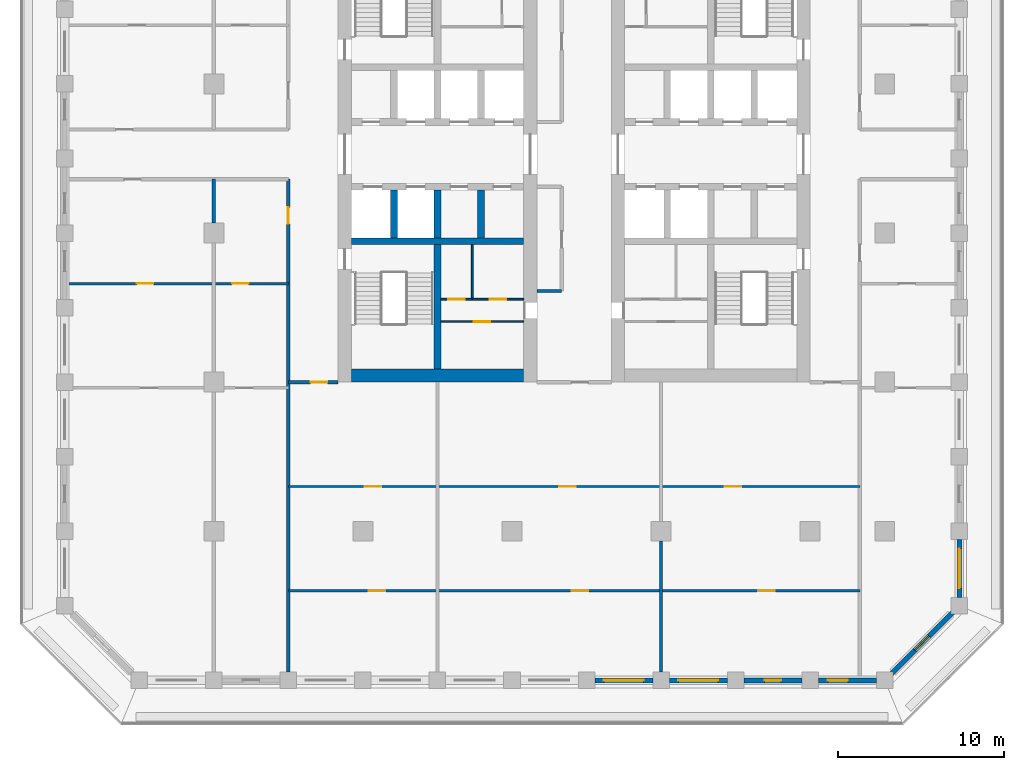
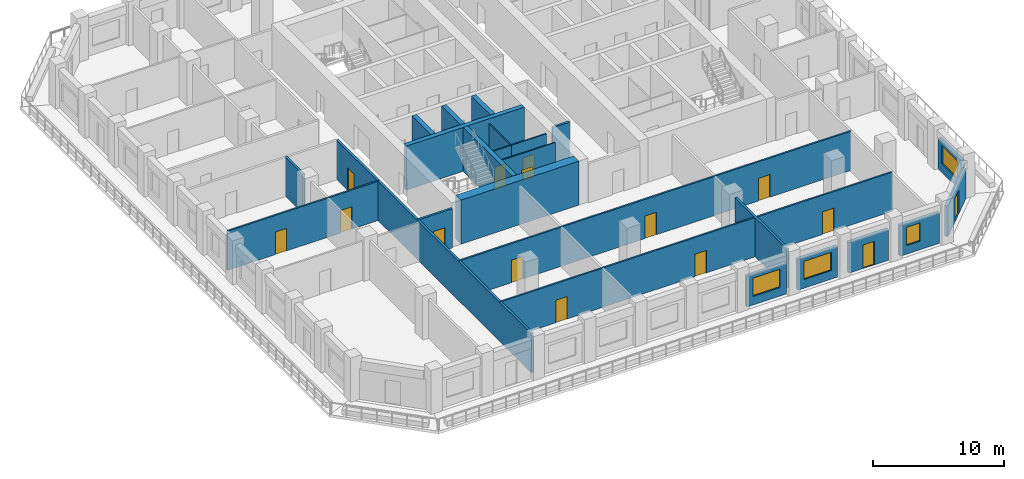
# One storey, part 3 of 16: 24 walls, 15 doors, 4 windows, 19 openings.
"""IFC4 building model written with IfcOpenShell, lengths in metres."""

from ifc_helpers import new_model, si_unit, direction, frame, frame_2d, origin, place, context, subcontext, project, spatial, rectangle, extrude, material, layer, layer_set, type_object, element, fill, save


model = new_model("IFC4")

# Units and contexts
model_context = context("Model", 3, precision=1e-05, world=origin(), true_north=direction((0.0, 1.0)))
body_context = subcontext(model_context, "Body", "Model", "MODEL_VIEW")
ifc_project = project(units=[si_unit("LENGTHUNIT", "METRE"), si_unit("AREAUNIT", "SQUARE_METRE"), si_unit("VOLUMEUNIT", "CUBIC_METRE"), si_unit("PLANEANGLEUNIT", "RADIAN"), si_unit("MASSUNIT", "GRAM", prefix="KILO")], contexts=[model_context])

# Site, building, storey
site_placement = place(None, origin())
site = spatial("IfcSite", under=ifc_project, at=site_placement, CompositionType="ELEMENT")
building_placement = place(site_placement, origin())
building = spatial("IfcBuilding", under=site, at=building_placement, Name="Corbel Stack Research Tower", CompositionType="ELEMENT")
storey_placement = place(building_placement, frame((0.0, 0.0, 177.300048828125)))
storey = spatial("IfcBuildingStorey", under=building, at=storey_placement, Name="L40", CompositionType="ELEMENT", Elevation=177.300048828125)

# Walls
ifc_material_1 = material(Name="Concrete C60/75", Category="concrete")
ifc_layer_1 = layer(ifc_material_1, 0.39990234375)
ifc_layer_set_1 = layer_set([ifc_layer_1], Name="Concrete C60/75")
wall_type_1 = type_object("IfcWallType", Name="CW-400-60", PredefinedType="SHEAR", material=ifc_layer_set_1)
wall_1_placement = place(storey_placement, frame((-9.699951171875, -0.5, 0.0), z_axis=(0.0, 0.0, 1.0), x_axis=(1.0, 0.0, 0.0)))
element("IfcWall", 1, at=wall_1_placement, inside=storey, type_object=wall_type_1, Name="West core wall, south row back L40", PredefinedType="SHEAR", context=body_context, shape_type="SweptSolid", body=[
    extrude(rectangle(XDim=10.39990234375, YDim=0.39990234375, at=frame_2d((5.199951171875, 0.0))), origin(), (0.0, 0.0, 1.0), 4.099853515625),
])
for number, where, z_axis, x_axis, name in (
    (2, (-7.125, -0.300048828125, 0.0), (0.0, 0.0, 1.0), (0.0, 1.0, 0.0), "West core wall, south shaft 1 L40"),
    (3, (-4.5, -0.300048828125, 0.0), (0.0, 0.0, 1.0), (0.0, 1.0, 0.0), "West core wall, south shaft 2 L40"),
    (4, (-1.875, -0.300048828125, 0.0), (0.0, 0.0, 1.0), (0.0, 1.0, 0.0), "West core wall, south shaft 3 L40"),
):
    element("IfcWall", number, at=place(storey_placement, frame(where, z_axis=z_axis, x_axis=x_axis)), inside=storey, type_object=wall_type_1, Name=name, PredefinedType="SHEAR", context=body_context, shape_type="SweptSolid", body=[
        extrude(rectangle(XDim=2.900146484375, YDim=0.39990234375, at=frame_2d((1.4501953125, 0.0))), origin(), (0.0, 0.0, 1.0), 4.099853515625),
    ])
wall_2_placement = place(storey_placement, frame((-4.5, -8.199951171875, 0.0), z_axis=(0.0, 0.0, 1.0), x_axis=(0.0, 1.0, 0.0)))
element("IfcWall", 5, at=wall_2_placement, inside=storey, type_object=wall_type_1, Name="West core wall, south stair and WC L40", PredefinedType="SHEAR", context=body_context, shape_type="SweptSolid", body=[
    extrude(rectangle(XDim=7.5, YDim=0.39990234375, at=frame_2d((3.75, 0.0))), origin(), (0.0, 0.0, 1.0), 4.099853515625),
])
ifc_material_2 = material(Name="Concrete C60/75", Category="concrete")
ifc_layer_2 = layer(ifc_material_2, 0.800048828125)
ifc_layer_set_2 = layer_set([ifc_layer_2], Name="Concrete C60/75")
wall_type_2 = type_object("IfcWallType", Name="CW-800-60", PredefinedType="SHEAR", material=ifc_layer_set_2)
wall_3_placement = place(storey_placement, frame((-9.699951171875, -8.60009765625, 0.0), z_axis=(0.0, 0.0, 1.0), x_axis=(1.0, 0.0, 0.0)))
element("IfcWall", 6, at=wall_3_placement, inside=storey, type_object=wall_type_2, Name="West core wall, south end L40", PredefinedType="SHEAR", context=body_context, shape_type="SweptSolid", body=[
    extrude(rectangle(XDim=10.39990234375, YDim=0.800048828125, at=frame_2d((5.199951171875, 0.0))), origin(), (0.0, 0.0, 1.0), 4.099853515625),
])

# Wall, opening, door
ifc_material_3 = material(Name="Gypsum board")
ifc_layer_3 = layer(ifc_material_3, 0.10009765625)
ifc_layer_set_3 = layer_set([ifc_layer_3], Name="Gypsum board")
wall_type_3 = type_object("IfcWallType", Name="Core partition 100", PredefinedType="PARTITIONING", material=ifc_layer_set_3)
wall_4_placement = place(storey_placement, frame((-4.300048828125, -5.35009765625, 0.0), z_axis=(0.0, 0.0, 1.0), x_axis=(1.0, 0.0, 0.0)))
wall_4 = element("IfcWall", 7, at=wall_4_placement, inside=storey, type_object=wall_type_3, Name="Core partition W", PredefinedType="PARTITIONING", context=body_context, shape_type="SweptSolid", body=[
    extrude(rectangle(XDim=5.0, YDim=0.10009765625, at=frame_2d((2.5, 0.0))), origin(), (0.0, 0.0, 1.0), 3.64990234375),
])
opening_1_placement = place(wall_4_placement, frame((2.0, 0.0, 0.0)))
opening_1 = element("IfcOpeningElement", 8, at=opening_1_placement, cuts=wall_4, Name="Opening CR-W24-W2-1000", PredefinedType="OPENING", context=body_context, shape_type="SweptSolid", body=[
    extrude(rectangle(XDim=1.0, YDim=2.10009765625, at=frame_2d((0.5, 1.050048828125))), frame((0.0, 0.06005859375, 0.0), z_axis=(0.0, -1.0, 0.0), x_axis=(1.0, 0.0, 0.0)), (0.0, 0.0, 1.0), 0.1201171875),
])
ifc_material_4 = material(Name="Painted timber door", Category="wood")
door_type_1 = type_object("IfcDoorType", Name="WC door 1000 x 2100 right hand", OperationType="SINGLE_SWING_RIGHT", PredefinedType="DOOR", material=ifc_material_4)
door_1_placement = place(opening_1_placement, origin())
door_1 = element("IfcDoor", 9, at=door_1_placement, inside=storey, type_object=door_type_1, Name="Men's WC door W core", OperationType="SINGLE_SWING_RIGHT", OverallHeight=2.10009765625, OverallWidth=1.0, PredefinedType="DOOR", context=body_context, shape_type="SweptSolid", body=[
    extrude(rectangle(XDim=1.0, YDim=2.10009765625, at=frame_2d((0.5, 1.050048828125))), frame((0.0, 0.02490234375, 0.0), z_axis=(0.0, -1.0, 0.0), x_axis=(1.0, 0.0, 0.0)), (0.0, 0.0, 1.0), 0.050048828125),
])
fill(opening_1, door_1)

wall_5_placement = place(storey_placement, frame((-2.39990234375, -4.0, 0.0), z_axis=(0.0, 0.0, 1.0), x_axis=(1.0, 0.0, 0.0)))
wall_5 = element("IfcWall", 10, at=wall_5_placement, inside=storey, type_object=wall_type_3, Name="Core partition W", PredefinedType="PARTITIONING", context=body_context, shape_type="SweptSolid", body=[
    extrude(rectangle(XDim=3.099853515625, YDim=0.10009765625, at=frame_2d((1.5498046875, 0.0))), origin(), (0.0, 0.0, 1.0), 3.64990234375),
])
opening_2_placement = place(wall_5_placement, frame((1.050048828125, 0.0, 0.0)))
opening_2 = element("IfcOpeningElement", 11, at=opening_2_placement, cuts=wall_5, Name="Opening CR-W24-W3-1000", PredefinedType="OPENING", context=body_context, shape_type="SweptSolid", body=[
    extrude(rectangle(XDim=1.0, YDim=2.10009765625, at=frame_2d((0.5, 1.050048828125))), frame((0.0, 0.06005859375, 0.0), z_axis=(0.0, -1.0, 0.0), x_axis=(1.0, 0.0, 0.0)), (0.0, 0.0, 1.0), 0.1201171875),
])
ifc_material_5 = material(Name="Painted timber door", Category="wood")
door_type_2 = type_object("IfcDoorType", Name="WC door 1000 x 2100 left hand", OperationType="SINGLE_SWING_LEFT", PredefinedType="DOOR", material=ifc_material_5)
door_2_placement = place(opening_2_placement, origin())
door_2 = element("IfcDoor", 12, at=door_2_placement, inside=storey, type_object=door_type_2, Name="Women's WC door W core", OperationType="SINGLE_SWING_LEFT", OverallHeight=2.10009765625, OverallWidth=1.0, PredefinedType="DOOR", context=body_context, shape_type="SweptSolid", body=[
    extrude(rectangle(XDim=1.0, YDim=2.10009765625, at=frame_2d((0.5, 1.050048828125))), frame((0.0, 0.02490234375, 0.0), z_axis=(0.0, -1.0, 0.0), x_axis=(1.0, 0.0, 0.0)), (0.0, 0.0, 1.0), 0.050048828125),
])
fill(opening_2, door_2)

wall_6_placement = place(storey_placement, frame((-4.300048828125, -4.0, 0.0), z_axis=(0.0, 0.0, 1.0), x_axis=(1.0, 0.0, 0.0)))
wall_6 = element("IfcWall", 13, at=wall_6_placement, inside=storey, type_object=wall_type_3, Name="Core partition W", PredefinedType="PARTITIONING", context=body_context, shape_type="SweptSolid", body=[
    extrude(rectangle(XDim=1.900146484375, YDim=0.10009765625, at=frame_2d((0.9501953125, 0.0))), origin(), (0.0, 0.0, 1.0), 3.64990234375),
])
opening_3_placement = place(wall_6_placement, frame((0.449951171875, 0.0, 0.0)))
opening_3 = element("IfcOpeningElement", 14, at=opening_3_placement, cuts=wall_6, Name="Opening CR-W24-W4-1000", PredefinedType="OPENING", context=body_context, shape_type="SweptSolid", body=[
    extrude(rectangle(XDim=1.0, YDim=2.10009765625, at=frame_2d((0.5, 1.050048828125))), frame((0.0, 0.06005859375, 0.0), z_axis=(0.0, -1.0, 0.0), x_axis=(1.0, 0.0, 0.0)), (0.0, 0.0, 1.0), 0.1201171875),
])
door_3_placement = place(opening_3_placement, origin())
door_3 = element("IfcDoor", 15, at=door_3_placement, inside=storey, type_object=door_type_1, Name="Accessible WC door W core", OperationType="SINGLE_SWING_RIGHT", OverallHeight=2.10009765625, OverallWidth=1.0, PredefinedType="DOOR", context=body_context, shape_type="SweptSolid", body=[
    extrude(rectangle(XDim=1.0, YDim=2.10009765625, at=frame_2d((0.5, 1.050048828125))), frame((0.0, 0.02490234375, 0.0), z_axis=(0.0, -1.0, 0.0), x_axis=(1.0, 0.0, 0.0)), (0.0, 0.0, 1.0), 0.050048828125),
])
fill(opening_3, door_3)

# Walls
wall_7_placement = place(storey_placement, frame((-2.39990234375, -4.0, 0.0), z_axis=(0.0, 0.0, 1.0), x_axis=(0.0, 1.0, 0.0)))
element("IfcWall", 16, at=wall_7_placement, inside=storey, type_object=wall_type_3, Name="Core partition W", PredefinedType="PARTITIONING", context=body_context, shape_type="SweptSolid", body=[
    extrude(rectangle(XDim=3.300048828125, YDim=0.10009765625, at=frame_2d((1.64990234375, 0.0))), origin(), (0.0, 0.0, 1.0), 3.64990234375),
])
ifc_material_6 = material(Name="Fire-rated gypsum board partition on steel studs", Category="steel")
ifc_layer_4 = layer(ifc_material_6, 0.199951171875)
ifc_layer_set_4 = layer_set([ifc_layer_4], Name="Fire-rated gypsum board partition on steel studs")
wall_type_4 = type_object("IfcWallType", Name="Fire-rated partition 200 EI 60", PredefinedType="PARTITIONING", material=ifc_layer_set_4)
wall_8_placement = place(storey_placement, frame((-18.0, 0.60009765625, 0.0), z_axis=(0.0, 0.0, 1.0), x_axis=(0.0, 1.0, 0.0)))
element("IfcWall", 17, at=wall_8_placement, inside=storey, type_object=wall_type_4, Name="Partition L40-004", PredefinedType="PARTITIONING", context=body_context, shape_type="SweptSolid", body=[
    extrude(rectangle(XDim=2.64990234375, YDim=0.199951171875, at=frame_2d((1.324951171875, 0.0))), origin(), (0.0, 0.0, 1.0), 3.64990234375),
])

# Wall, opening, door
wall_9_placement = place(storey_placement, frame((-13.5, -26.5, 0.0), z_axis=(0.0, 0.0, 1.0), x_axis=(0.0, 1.0, 0.0)))
wall_9 = element("IfcWall", 18, at=wall_9_placement, inside=storey, type_object=wall_type_4, Name="Partition L40-009", PredefinedType="PARTITIONING", context=body_context, shape_type="SweptSolid", body=[
    extrude(rectangle(XDim=29.75, YDim=0.199951171875, at=frame_2d((14.875, 0.0))), origin(), (0.0, 0.0, 1.0), 3.64990234375),
])
opening_4_placement = place(wall_9_placement, frame((27.050048828125, 0.0, 0.0)))
opening_4 = element("IfcOpeningElement", 19, at=opening_4_placement, cuts=wall_9, Name="Opening B5V2-007", PredefinedType="OPENING", context=body_context, shape_type="SweptSolid", body=[
    extrude(rectangle(XDim=1.0, YDim=2.10009765625, at=frame_2d((0.5, 1.050048828125))), frame((0.0, 0.10986328125, 0.0), z_axis=(0.0, -1.0, 0.0), x_axis=(1.0, 0.0, 0.0)), (0.0, 0.0, 1.0), 0.219970703125),
])
ifc_material_7 = material(Name="Painted steel fire door", Category="steel")
door_type_3 = type_object("IfcDoorType", Name="Fire door FD30S 1000 x 2100", OperationType="NOTDEFINED", PredefinedType="DOOR", material=ifc_material_7)
door_4_placement = place(opening_4_placement, origin())
door_4 = element("IfcDoor", 20, at=door_4_placement, inside=storey, type_object=door_type_3, Name="Door B5V2-007", OperationType="SINGLE_SWING_RIGHT", OverallHeight=2.10009765625, OverallWidth=1.0, PredefinedType="DOOR", context=body_context, shape_type="SweptSolid", body=[
    extrude(rectangle(XDim=1.0, YDim=2.10009765625, at=frame_2d((0.5, 1.050048828125))), frame((0.0, 0.02490234375, 0.0), z_axis=(0.0, -1.0, 0.0), x_axis=(1.0, 0.0, 0.0)), (0.0, 0.0, 1.0), 0.050048828125),
])
fill(opening_4, door_4)

# Wall
wall_10_placement = place(storey_placement, frame((9.0, -26.5, 0.0), z_axis=(0.0, 0.0, 1.0), x_axis=(0.0, 1.0, 0.0)))
element("IfcWall", 21, at=wall_10_placement, inside=storey, type_object=wall_type_4, Name="Partition L40-015", PredefinedType="PARTITIONING", context=body_context, shape_type="SweptSolid", body=[
    extrude(rectangle(XDim=7.89990234375, YDim=0.199951171875, at=frame_2d((3.949951171875, 0.0))), origin(), (0.0, 0.0, 1.0), 3.64990234375),
])

# Wall, opening, door
wall_11_placement = place(storey_placement, frame((-10.5, -9.0, 0.0), z_axis=(0.0, 0.0, 1.0), x_axis=(-1.0, 0.0, 0.0)))
wall_11 = element("IfcWall", 22, at=wall_11_placement, inside=storey, type_object=wall_type_4, Name="Partition L40-027", PredefinedType="PARTITIONING", context=body_context, shape_type="SweptSolid", body=[
    extrude(rectangle(XDim=3.0, YDim=0.199951171875, at=frame_2d((1.5, 0.0))), origin(), (0.0, 0.0, 1.0), 3.64990234375),
])
opening_5_placement = place(wall_11_placement, frame((0.64990234375, 0.0, 0.0)))
opening_5 = element("IfcOpeningElement", 23, at=opening_5_placement, cuts=wall_11, Name="Opening B5V2-012", PredefinedType="OPENING", context=body_context, shape_type="SweptSolid", body=[
    extrude(rectangle(XDim=1.0, YDim=2.10009765625, at=frame_2d((0.5, 1.050048828125))), frame((0.0, 0.10986328125, 0.0), z_axis=(0.0, -1.0, 0.0), x_axis=(1.0, 0.0, 0.0)), (0.0, 0.0, 1.0), 0.219970703125),
])
door_5_placement = place(opening_5_placement, origin())
door_5 = element("IfcDoor", 24, at=door_5_placement, inside=storey, type_object=door_type_3, Name="Door B5V2-012", OperationType="SINGLE_SWING_LEFT", OverallHeight=2.10009765625, OverallWidth=1.0, PredefinedType="DOOR", context=body_context, shape_type="SweptSolid", body=[
    extrude(rectangle(XDim=1.0, YDim=2.10009765625, at=frame_2d((0.5, 1.050048828125))), frame((0.0, 0.02490234375, 0.0), z_axis=(0.0, -1.0, 0.0), x_axis=(1.0, 0.0, 0.0)), (0.0, 0.0, 1.0), 0.050048828125),
])
fill(opening_5, door_5)

# Wall
wall_12_placement = place(storey_placement, frame((1.5, -3.5, 0.0), z_axis=(0.0, 0.0, 1.0), x_axis=(1.0, 0.0, 0.0)))
element("IfcWall", 25, at=wall_12_placement, inside=storey, type_object=wall_type_4, Name="Partition L40-030", PredefinedType="PARTITIONING", context=body_context, shape_type="SweptSolid", body=[
    extrude(rectangle(XDim=1.5, YDim=0.199951171875, at=frame_2d((0.75, 0.0))), origin(), (0.0, 0.0, 1.0), 3.64990234375),
])

# Wall, openings, doors
ifc_material_8 = material(Name="Gypsum board partition on steel studs", Category="steel")
ifc_layer_5 = layer(ifc_material_8, 0.14990234375)
ifc_layer_set_5 = layer_set([ifc_layer_5], Name="Gypsum board partition on steel studs")
wall_type_5 = type_object("IfcWallType", Name="Partition 150", PredefinedType="PARTITIONING", material=ifc_layer_set_5)
wall_13_placement = place(storey_placement, frame((21.0, -21.60009765625, 0.0), z_axis=(0.0, 0.0, 1.0), x_axis=(-1.0, 0.0, 0.0)))
wall_13 = element("IfcWall", 26, at=wall_13_placement, inside=storey, type_object=wall_type_5, Name="Partition L40-021", PredefinedType="PARTITIONING", context=body_context, shape_type="SweptSolid", body=[
    extrude(rectangle(XDim=34.5, YDim=0.14990234375, at=frame_2d((17.25, 0.0))), origin(), (0.0, 0.0, 1.0), 3.64990234375),
])
opening_6_placement = place(wall_13_placement, frame((28.64990234375, 0.0, 0.0)))
opening_6 = element("IfcOpeningElement", 27, at=opening_6_placement, cuts=wall_13, Name="Opening B5V2-001", PredefinedType="OPENING", context=body_context, shape_type="SweptSolid", body=[
    extrude(rectangle(XDim=1.0, YDim=2.10009765625, at=frame_2d((0.5, 1.050048828125))), frame((0.0, 0.0849609375, 0.0), z_axis=(0.0, -1.0, 0.0), x_axis=(1.0, 0.0, 0.0)), (0.0, 0.0, 1.0), 0.169921875),
])
opening_7_placement = place(wall_13_placement, frame((16.39990234375, 0.0, 0.0)))
opening_7 = element("IfcOpeningElement", 28, at=opening_7_placement, cuts=wall_13, Name="Opening B5V2-002", PredefinedType="OPENING", context=body_context, shape_type="SweptSolid", body=[
    extrude(rectangle(XDim=1.0, YDim=2.10009765625, at=frame_2d((0.5, 1.050048828125))), frame((0.0, 0.0849609375, 0.0), z_axis=(0.0, -1.0, 0.0), x_axis=(1.0, 0.0, 0.0)), (0.0, 0.0, 1.0), 0.169921875),
])
opening_8_placement = place(wall_13_placement, frame((5.14990234375, 0.0, 0.0)))
opening_8 = element("IfcOpeningElement", 29, at=opening_8_placement, cuts=wall_13, Name="Opening B5V2-003", PredefinedType="OPENING", context=body_context, shape_type="SweptSolid", body=[
    extrude(rectangle(XDim=1.0, YDim=2.10009765625, at=frame_2d((0.5, 1.050048828125))), frame((0.0, 0.0849609375, 0.0), z_axis=(0.0, -1.0, 0.0), x_axis=(1.0, 0.0, 0.0)), (0.0, 0.0, 1.0), 0.169921875),
])
ifc_material_9 = material(Name="Painted timber door", Category="wood")
door_type_4 = type_object("IfcDoorType", Name="Single door 1000 x 2100", OperationType="NOTDEFINED", PredefinedType="DOOR", material=ifc_material_9)
door_6_placement = place(opening_6_placement, origin())
door_6 = element("IfcDoor", 30, at=door_6_placement, inside=storey, type_object=door_type_4, Name="Door B5V2-001", OperationType="SINGLE_SWING_RIGHT", OverallHeight=2.10009765625, OverallWidth=1.0, PredefinedType="DOOR", context=body_context, shape_type="SweptSolid", body=[
    extrude(rectangle(XDim=1.0, YDim=2.10009765625, at=frame_2d((0.5, 1.050048828125))), frame((0.0, 0.02490234375, 0.0), z_axis=(0.0, -1.0, 0.0), x_axis=(1.0, 0.0, 0.0)), (0.0, 0.0, 1.0), 0.050048828125),
])
fill(opening_6, door_6)
door_7_placement = place(opening_7_placement, origin())
door_7 = element("IfcDoor", 31, at=door_7_placement, inside=storey, type_object=door_type_4, Name="Door B5V2-002", OperationType="SINGLE_SWING_LEFT", OverallHeight=2.10009765625, OverallWidth=1.0, PredefinedType="DOOR", context=body_context, shape_type="SweptSolid", body=[
    extrude(rectangle(XDim=1.0, YDim=2.10009765625, at=frame_2d((0.5, 1.050048828125))), frame((0.0, 0.02490234375, 0.0), z_axis=(0.0, -1.0, 0.0), x_axis=(1.0, 0.0, 0.0)), (0.0, 0.0, 1.0), 0.050048828125),
])
fill(opening_7, door_7)
door_8_placement = place(opening_8_placement, origin())
door_8 = element("IfcDoor", 32, at=door_8_placement, inside=storey, type_object=door_type_4, Name="Door B5V2-003", OperationType="SINGLE_SWING_LEFT", OverallHeight=2.10009765625, OverallWidth=1.0, PredefinedType="DOOR", context=body_context, shape_type="SweptSolid", body=[
    extrude(rectangle(XDim=1.0, YDim=2.10009765625, at=frame_2d((0.5, 1.050048828125))), frame((0.0, 0.02490234375, 0.0), z_axis=(0.0, -1.0, 0.0), x_axis=(1.0, 0.0, 0.0)), (0.0, 0.0, 1.0), 0.050048828125),
])
fill(opening_8, door_8)

wall_14_placement = place(storey_placement, frame((21.0, -15.300048828125, 0.0), z_axis=(0.0, 0.0, 1.0), x_axis=(-1.0, 0.0, 0.0)))
wall_14 = element("IfcWall", 33, at=wall_14_placement, inside=storey, type_object=wall_type_5, Name="Partition L40-022", PredefinedType="PARTITIONING", context=body_context, shape_type="SweptSolid", body=[
    extrude(rectangle(XDim=34.5, YDim=0.14990234375, at=frame_2d((17.25, 0.0))), origin(), (0.0, 0.0, 1.0), 3.64990234375),
])
opening_9_placement = place(wall_14_placement, frame((28.89990234375, 0.0, 0.0)))
opening_9 = element("IfcOpeningElement", 34, at=opening_9_placement, cuts=wall_14, Name="Opening B5V2-004", PredefinedType="OPENING", context=body_context, shape_type="SweptSolid", body=[
    extrude(rectangle(XDim=1.0, YDim=2.10009765625, at=frame_2d((0.5, 1.050048828125))), frame((0.0, 0.0849609375, 0.0), z_axis=(0.0, -1.0, 0.0), x_axis=(1.0, 0.0, 0.0)), (0.0, 0.0, 1.0), 0.169921875),
])
opening_10_placement = place(wall_14_placement, frame((17.14990234375, 0.0, 0.0)))
opening_10 = element("IfcOpeningElement", 35, at=opening_10_placement, cuts=wall_14, Name="Opening B5V2-005", PredefinedType="OPENING", context=body_context, shape_type="SweptSolid", body=[
    extrude(rectangle(XDim=1.0, YDim=2.10009765625, at=frame_2d((0.5, 1.050048828125))), frame((0.0, 0.0849609375, 0.0), z_axis=(0.0, -1.0, 0.0), x_axis=(1.0, 0.0, 0.0)), (0.0, 0.0, 1.0), 0.169921875),
])
opening_11_placement = place(wall_14_placement, frame((7.14990234375, 0.0, 0.0)))
opening_11 = element("IfcOpeningElement", 36, at=opening_11_placement, cuts=wall_14, Name="Opening B5V2-006", PredefinedType="OPENING", context=body_context, shape_type="SweptSolid", body=[
    extrude(rectangle(XDim=1.0, YDim=2.10009765625, at=frame_2d((0.5, 1.050048828125))), frame((0.0, 0.0849609375, 0.0), z_axis=(0.0, -1.0, 0.0), x_axis=(1.0, 0.0, 0.0)), (0.0, 0.0, 1.0), 0.169921875),
])
door_9_placement = place(opening_9_placement, origin())
door_9 = element("IfcDoor", 37, at=door_9_placement, inside=storey, type_object=door_type_4, Name="Door B5V2-004", OperationType="SINGLE_SWING_RIGHT", OverallHeight=2.10009765625, OverallWidth=1.0, PredefinedType="DOOR", context=body_context, shape_type="SweptSolid", body=[
    extrude(rectangle(XDim=1.0, YDim=2.10009765625, at=frame_2d((0.5, 1.050048828125))), frame((0.0, 0.02490234375, 0.0), z_axis=(0.0, -1.0, 0.0), x_axis=(1.0, 0.0, 0.0)), (0.0, 0.0, 1.0), 0.050048828125),
])
fill(opening_9, door_9)
door_10_placement = place(opening_10_placement, origin())
door_10 = element("IfcDoor", 38, at=door_10_placement, inside=storey, type_object=door_type_4, Name="Door B5V2-005", OperationType="SINGLE_SWING_RIGHT", OverallHeight=2.10009765625, OverallWidth=1.0, PredefinedType="DOOR", context=body_context, shape_type="SweptSolid", body=[
    extrude(rectangle(XDim=1.0, YDim=2.10009765625, at=frame_2d((0.5, 1.050048828125))), frame((0.0, 0.02490234375, 0.0), z_axis=(0.0, -1.0, 0.0), x_axis=(1.0, 0.0, 0.0)), (0.0, 0.0, 1.0), 0.050048828125),
])
fill(opening_10, door_10)
door_11_placement = place(opening_11_placement, origin())
door_11 = element("IfcDoor", 39, at=door_11_placement, inside=storey, type_object=door_type_4, Name="Door B5V2-006", OperationType="SINGLE_SWING_LEFT", OverallHeight=2.10009765625, OverallWidth=1.0, PredefinedType="DOOR", context=body_context, shape_type="SweptSolid", body=[
    extrude(rectangle(XDim=1.0, YDim=2.10009765625, at=frame_2d((0.5, 1.050048828125))), frame((0.0, 0.02490234375, 0.0), z_axis=(0.0, -1.0, 0.0), x_axis=(1.0, 0.0, 0.0)), (0.0, 0.0, 1.0), 0.050048828125),
])
fill(opening_11, door_11)

wall_15_placement = place(storey_placement, frame((-13.5, -3.050048828125, 0.0), z_axis=(0.0, 0.0, 1.0), x_axis=(-1.0, 0.0, 0.0)))
wall_15 = element("IfcWall", 40, at=wall_15_placement, inside=storey, type_object=wall_type_5, Name="Partition L40-031", PredefinedType="PARTITIONING", context=body_context, shape_type="SweptSolid", body=[
    extrude(rectangle(XDim=13.35009765625, YDim=0.14990234375, at=frame_2d((6.675048828125, 0.0))), origin(), (0.0, 0.0, 1.0), 3.64990234375),
])
opening_12_placement = place(wall_15_placement, frame((8.14990234375, 0.0, 0.0)))
opening_12 = element("IfcOpeningElement", 41, at=opening_12_placement, cuts=wall_15, Name="Opening B5V2-015", PredefinedType="OPENING", context=body_context, shape_type="SweptSolid", body=[
    extrude(rectangle(XDim=1.0, YDim=2.10009765625, at=frame_2d((0.5, 1.050048828125))), frame((0.0, 0.0849609375, 0.0), z_axis=(0.0, -1.0, 0.0), x_axis=(1.0, 0.0, 0.0)), (0.0, 0.0, 1.0), 0.169921875),
])
opening_13_placement = place(wall_15_placement, frame((2.39990234375, 0.0, 0.0)))
opening_13 = element("IfcOpeningElement", 42, at=opening_13_placement, cuts=wall_15, Name="Opening B5V2-016", PredefinedType="OPENING", context=body_context, shape_type="SweptSolid", body=[
    extrude(rectangle(XDim=1.0, YDim=2.10009765625, at=frame_2d((0.5, 1.050048828125))), frame((0.0, 0.0849609375, 0.0), z_axis=(0.0, -1.0, 0.0), x_axis=(1.0, 0.0, 0.0)), (0.0, 0.0, 1.0), 0.169921875),
])
door_12_placement = place(opening_12_placement, origin())
door_12 = element("IfcDoor", 43, at=door_12_placement, inside=storey, type_object=door_type_4, Name="Door B5V2-015", OperationType="SINGLE_SWING_RIGHT", OverallHeight=2.10009765625, OverallWidth=1.0, PredefinedType="DOOR", context=body_context, shape_type="SweptSolid", body=[
    extrude(rectangle(XDim=1.0, YDim=2.10009765625, at=frame_2d((0.5, 1.050048828125))), frame((0.0, 0.02490234375, 0.0), z_axis=(0.0, -1.0, 0.0), x_axis=(1.0, 0.0, 0.0)), (0.0, 0.0, 1.0), 0.050048828125),
])
fill(opening_12, door_12)
door_13_placement = place(opening_13_placement, origin())
door_13 = element("IfcDoor", 44, at=door_13_placement, inside=storey, type_object=door_type_4, Name="Door B5V2-016", OperationType="SINGLE_SWING_LEFT", OverallHeight=2.10009765625, OverallWidth=1.0, PredefinedType="DOOR", context=body_context, shape_type="SweptSolid", body=[
    extrude(rectangle(XDim=1.0, YDim=2.10009765625, at=frame_2d((0.5, 1.050048828125))), frame((0.0, 0.02490234375, 0.0), z_axis=(0.0, -1.0, 0.0), x_axis=(1.0, 0.0, 0.0)), (0.0, 0.0, 1.0), 0.050048828125),
])
fill(opening_13, door_13)

# Wall, opening, window
ifc_material_10 = material(Name="Concrete C45/55", Category="concrete")
ifc_layer_6 = layer(ifc_material_10, 0.300048828125)
ifc_layer_set_6 = layer_set([ifc_layer_6], Name="Concrete C45/55")
wall_type_6 = type_object("IfcWallType", Name="Terracotta-faced concrete wall 300", PredefinedType="SOLIDWALL", material=ifc_layer_set_6)
wall_16_placement = place(storey_placement, frame((8.5, -27.0, 0.0), z_axis=(0.0, 0.0, 1.0), x_axis=(-1.0, 0.0, 0.0)))
wall_16 = element("IfcWall", 45, at=wall_16_placement, inside=storey, type_object=wall_type_6, Name="Facade wall L40 S07", PredefinedType="SOLIDWALL", context=body_context, shape_type="SweptSolid", body=[
    extrude(rectangle(XDim=3.5, YDim=0.300048828125, at=frame_2d((1.75, 0.0))), origin(), (0.0, 0.0, 1.0), 2.849853515625),
])
opening_14_placement = place(wall_16_placement, frame((0.550048828125, 0.0, 0.800048828125)))
opening_14 = element("IfcOpeningElement", 46, at=opening_14_placement, cuts=wall_16, Name="Opening W1", PredefinedType="OPENING", context=body_context, shape_type="SweptSolid", body=[
    extrude(rectangle(XDim=2.39990234375, YDim=1.699951171875, at=frame_2d((1.199951171875, 0.85009765625))), frame((0.0, 0.159912109375, 0.0), z_axis=(0.0, -1.0, 0.0), x_axis=(1.0, 0.0, 0.0)), (0.0, 0.0, 1.0), 0.320068359375),
])
ifc_material_11 = material(Name="Aluminium frame, clear double glazing", Category="aluminium")
window_type_1 = type_object("IfcWindowType", Name="Window W1 2400 x 1700", PartitioningType="SINGLE_PANEL", PredefinedType="WINDOW", material=ifc_material_11)
window_1_placement = place(opening_14_placement, origin())
window_1 = element("IfcWindow", 47, at=window_1_placement, inside=storey, type_object=window_type_1, Name="Window W1 L40 S07", OverallHeight=1.699951171875, OverallWidth=2.39990234375, PartitioningType="SINGLE_PANEL", PredefinedType="WINDOW", context=body_context, shape_type="SweptSolid", body=[
    extrude(rectangle(XDim=2.39990234375, YDim=1.699951171875, at=frame_2d((1.199951171875, 0.85009765625))), frame((0.0, 0.030029296875, 0.0), z_axis=(0.0, -1.0, 0.0), x_axis=(1.0, 0.0, 0.0)), (0.0, 0.0, 1.0), 0.06005859375),
])
fill(opening_14, window_1)

wall_17_placement = place(storey_placement, frame((13.0, -27.0, 0.0), z_axis=(0.0, 0.0, 1.0), x_axis=(-1.0, 0.0, 0.0)))
wall_17 = element("IfcWall", 48, at=wall_17_placement, inside=storey, type_object=wall_type_6, Name="Facade wall L40 S08", PredefinedType="SOLIDWALL", context=body_context, shape_type="SweptSolid", body=[
    extrude(rectangle(XDim=3.5, YDim=0.300048828125, at=frame_2d((1.75, 0.0))), origin(), (0.0, 0.0, 1.0), 2.849853515625),
])
opening_15_placement = place(wall_17_placement, frame((0.550048828125, 0.0, 0.800048828125)))
opening_15 = element("IfcOpeningElement", 49, at=opening_15_placement, cuts=wall_17, Name="Opening W1", PredefinedType="OPENING", context=body_context, shape_type="SweptSolid", body=[
    extrude(rectangle(XDim=2.39990234375, YDim=1.699951171875, at=frame_2d((1.199951171875, 0.85009765625))), frame((0.0, 0.159912109375, 0.0), z_axis=(0.0, -1.0, 0.0), x_axis=(1.0, 0.0, 0.0)), (0.0, 0.0, 1.0), 0.320068359375),
])
window_2_placement = place(opening_15_placement, origin())
window_2 = element("IfcWindow", 50, at=window_2_placement, inside=storey, type_object=window_type_1, Name="Window W1 L40 S08", OverallHeight=1.699951171875, OverallWidth=2.39990234375, PartitioningType="SINGLE_PANEL", PredefinedType="WINDOW", context=body_context, shape_type="SweptSolid", body=[
    extrude(rectangle(XDim=2.39990234375, YDim=1.699951171875, at=frame_2d((1.199951171875, 0.85009765625))), frame((0.0, 0.030029296875, 0.0), z_axis=(0.0, -1.0, 0.0), x_axis=(1.0, 0.0, 0.0)), (0.0, 0.0, 1.0), 0.06005859375),
])
fill(opening_15, window_2)

# Wall, opening, door
wall_18_placement = place(storey_placement, frame((17.5, -27.0, 0.0), z_axis=(0.0, 0.0, 1.0), x_axis=(-1.0, 0.0, 0.0)))
wall_18 = element("IfcWall", 51, at=wall_18_placement, inside=storey, type_object=wall_type_6, Name="Facade wall L40 S09", PredefinedType="SOLIDWALL", context=body_context, shape_type="SweptSolid", body=[
    extrude(rectangle(XDim=3.5, YDim=0.300048828125, at=frame_2d((1.75, 0.0))), origin(), (0.0, 0.0, 1.0), 2.849853515625),
])
opening_16_placement = place(wall_18_placement, frame((1.25, 0.0, 0.0)))
opening_16 = element("IfcOpeningElement", 52, at=opening_16_placement, cuts=wall_18, Name="Opening L40-B02", PredefinedType="OPENING", context=body_context, shape_type="SweptSolid", body=[
    extrude(rectangle(XDim=1.0, YDim=2.199951171875, at=frame_2d((0.5, 1.10009765625))), frame((0.0, 0.159912109375, 0.0), z_axis=(0.0, -1.0, 0.0), x_axis=(1.0, 0.0, 0.0)), (0.0, 0.0, 1.0), 0.320068359375),
])
ifc_material_12 = material(Name="Aluminium frame, clear double glazing", Category="aluminium")
door_type_5 = type_object("IfcDoorType", Name="Balcony door BD1 1000 x 2200", OperationType="NOTDEFINED", PredefinedType="DOOR", material=ifc_material_12)
door_14_placement = place(opening_16_placement, origin())
door_14 = element("IfcDoor", 53, at=door_14_placement, inside=storey, type_object=door_type_5, Name="Balcony door L40-B02", OperationType="SINGLE_SWING_LEFT", OverallHeight=2.199951171875, OverallWidth=1.0, PredefinedType="DOOR", context=body_context, shape_type="SweptSolid", body=[
    extrude(rectangle(XDim=1.0, YDim=2.199951171875, at=frame_2d((0.5, 1.10009765625))), frame((0.0, 0.02490234375, 0.0), z_axis=(0.0, -1.0, 0.0), x_axis=(1.0, 0.0, 0.0)), (0.0, 0.0, 1.0), 0.050048828125),
])
fill(opening_16, door_14)

# Wall, opening, window
wall_19_placement = place(storey_placement, frame((22.0, -27.0, 0.0), z_axis=(0.0, 0.0, 1.0), x_axis=(-1.0, 0.0, 0.0)))
wall_19 = element("IfcWall", 54, at=wall_19_placement, inside=storey, type_object=wall_type_6, Name="Facade wall L40 S10", PredefinedType="SOLIDWALL", context=body_context, shape_type="SweptSolid", body=[
    extrude(rectangle(XDim=3.5, YDim=0.300048828125, at=frame_2d((1.75, 0.0))), origin(), (0.0, 0.0, 1.0), 2.849853515625),
])
opening_17_placement = place(wall_19_placement, frame((1.72509765625, 0.0, 0.800048828125)))
opening_17 = element("IfcOpeningElement", 55, at=opening_17_placement, cuts=wall_19, Name="Opening W2", PredefinedType="OPENING", context=body_context, shape_type="SweptSolid", body=[
    extrude(rectangle(XDim=1.199951171875, YDim=1.699951171875, at=frame_2d((0.60009765625, 0.85009765625))), frame((0.0, 0.159912109375, 0.0), z_axis=(0.0, -1.0, 0.0), x_axis=(1.0, 0.0, 0.0)), (0.0, 0.0, 1.0), 0.320068359375),
])
ifc_material_13 = material(Name="Aluminium frame, clear double glazing", Category="aluminium")
window_type_2 = type_object("IfcWindowType", Name="Window W2 1200 x 1700", PartitioningType="SINGLE_PANEL", PredefinedType="WINDOW", material=ifc_material_13)
window_3_placement = place(opening_17_placement, origin())
window_3 = element("IfcWindow", 56, at=window_3_placement, inside=storey, type_object=window_type_2, Name="Window W2 L40 S10", OverallHeight=1.699951171875, OverallWidth=1.199951171875, PartitioningType="SINGLE_PANEL", PredefinedType="WINDOW", context=body_context, shape_type="SweptSolid", body=[
    extrude(rectangle(XDim=1.199951171875, YDim=1.699951171875, at=frame_2d((0.60009765625, 0.85009765625))), frame((0.0, 0.030029296875, 0.0), z_axis=(0.0, -1.0, 0.0), x_axis=(1.0, 0.0, 0.0)), (0.0, 0.0, 1.0), 0.06005859375),
])
fill(opening_17, window_3)

# Wall, opening, door
wall_20_placement = place(storey_placement, frame((26.606201171875, -22.893798828125, 0.0), z_axis=(0.0, 0.0, 1.0), x_axis=(-0.707106781187, -0.707106781187, 0.0)))
wall_20 = element("IfcWall", 57, at=wall_20_placement, inside=storey, type_object=wall_type_6, Name="Facade wall L40 SE01", PredefinedType="SOLIDWALL", context=body_context, shape_type="SweptSolid", body=[
    extrude(rectangle(XDim=5.250244140625, YDim=0.300048828125, at=frame_2d((2.625, 0.0))), origin(), (0.0, 0.0, 1.0), 2.849853515625),
])
opening_18_placement = place(wall_20_placement, frame((2.02490234375, 0.0, 0.0)))
opening_18 = element("IfcOpeningElement", 58, at=opening_18_placement, cuts=wall_20, Name="Opening L40-B03", PredefinedType="OPENING", context=body_context, shape_type="SweptSolid", body=[
    extrude(rectangle(XDim=1.199951171875, YDim=2.199951171875, at=frame_2d((0.60009765625, 1.10009765625))), frame((0.0, 0.159912109375, 0.0), z_axis=(0.0, -1.0, 0.0), x_axis=(1.0, 0.0, 0.0)), (0.0, 0.0, 1.0), 0.320068359375),
])
ifc_material_14 = material(Name="Aluminium frame, clear double glazing", Category="aluminium")
door_type_6 = type_object("IfcDoorType", Name="Balcony door BD2 1200 x 2200", OperationType="NOTDEFINED", PredefinedType="DOOR", material=ifc_material_14)
door_15_placement = place(opening_18_placement, origin())
door_15 = element("IfcDoor", 59, at=door_15_placement, inside=storey, type_object=door_type_6, Name="Balcony door L40-B03", OperationType="SINGLE_SWING_LEFT", OverallHeight=2.199951171875, OverallWidth=1.199951171875, PredefinedType="DOOR", context=body_context, shape_type="SweptSolid", body=[
    extrude(rectangle(XDim=1.199951171875, YDim=2.199951171875, at=frame_2d((0.60009765625, 1.10009765625))), frame((0.0, 0.02490234375, 0.0), z_axis=(0.0, -1.0, 0.0), x_axis=(1.0, 0.0, 0.0)), (0.0, 0.0, 1.0), 0.050048828125),
])
fill(opening_18, door_15)

# Wall, opening, window
wall_21_placement = place(storey_placement, frame((27.0, -18.5, 0.0), z_axis=(0.0, 0.0, 1.0), x_axis=(0.0, -1.0, 0.0)))
wall_21 = element("IfcWall", 60, at=wall_21_placement, inside=storey, type_object=wall_type_6, Name="Facade wall L40 E01", PredefinedType="SOLIDWALL", context=body_context, shape_type="SweptSolid", body=[
    extrude(rectangle(XDim=3.5, YDim=0.300048828125, at=frame_2d((1.75, 0.0))), origin(), (0.0, 0.0, 1.0), 2.849853515625),
])
opening_19_placement = place(wall_21_placement, frame((0.550048828125, 0.0, 0.800048828125)))
opening_19 = element("IfcOpeningElement", 61, at=opening_19_placement, cuts=wall_21, Name="Opening W1", PredefinedType="OPENING", context=body_context, shape_type="SweptSolid", body=[
    extrude(rectangle(XDim=2.39990234375, YDim=1.699951171875, at=frame_2d((1.199951171875, 0.85009765625))), frame((0.0, 0.159912109375, 0.0), z_axis=(0.0, -1.0, 0.0), x_axis=(1.0, 0.0, 0.0)), (0.0, 0.0, 1.0), 0.320068359375),
])
window_4_placement = place(opening_19_placement, origin())
window_4 = element("IfcWindow", 62, at=window_4_placement, inside=storey, type_object=window_type_1, Name="Window W1 L40 E01", OverallHeight=1.699951171875, OverallWidth=2.39990234375, PartitioningType="SINGLE_PANEL", PredefinedType="WINDOW", context=body_context, shape_type="SweptSolid", body=[
    extrude(rectangle(XDim=2.39990234375, YDim=1.699951171875, at=frame_2d((1.199951171875, 0.85009765625))), frame((0.0, 0.030029296875, 0.0), z_axis=(0.0, -1.0, 0.0), x_axis=(1.0, 0.0, 0.0)), (0.0, 0.0, 1.0), 0.06005859375),
])
fill(opening_19, window_4)

save(model, "model.ifc")
